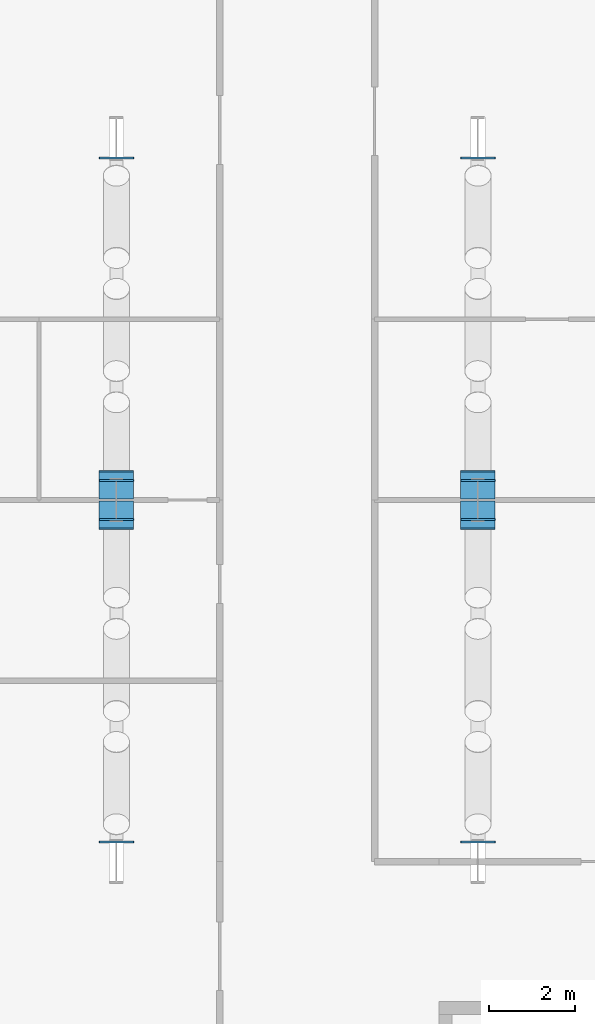
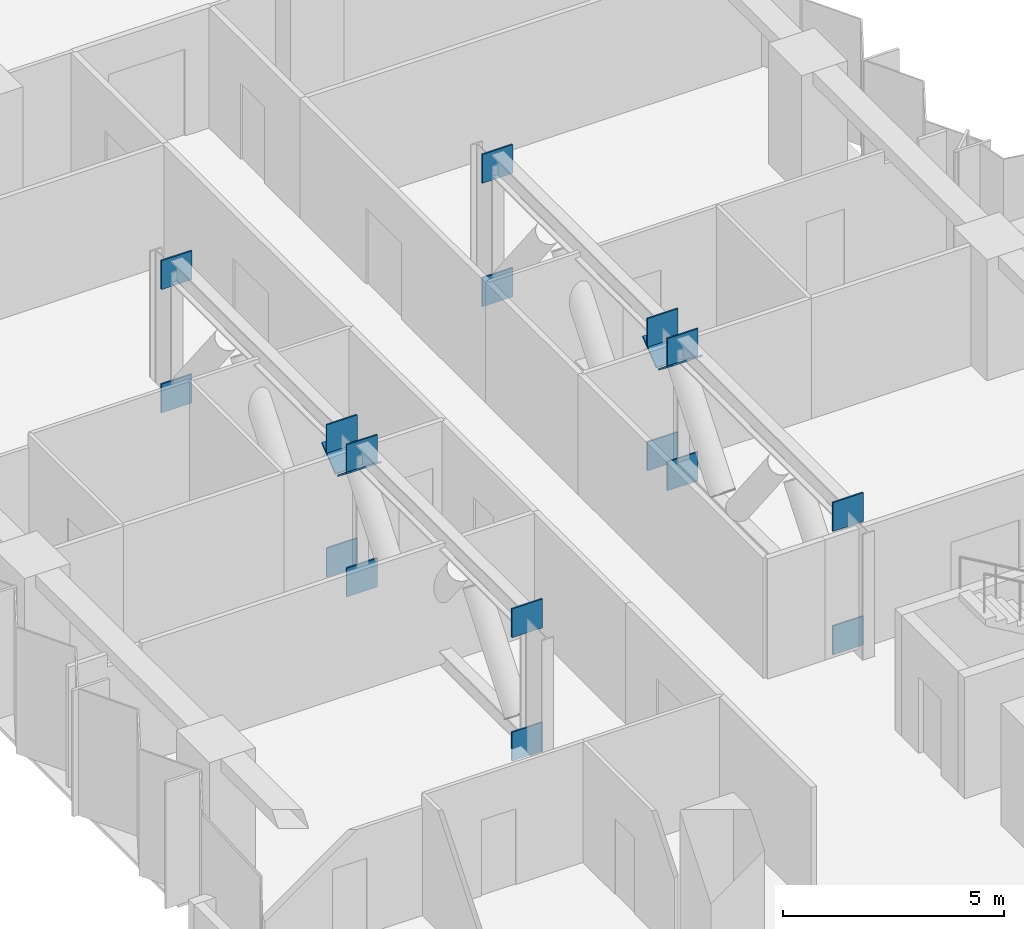
# One storey, part 16 of 24: 20 discrete accessories.
"""IFC4 building model written with IfcOpenShell, lengths in metres."""

from ifc_helpers import new_model, si_unit, direction, frame, origin, origin_2d, place, context, subcontext, project, spatial, rectangle, extrude, material, layer, layer_set, type_object, element, save


model = new_model("IFC4")

# Units and contexts
model_context = context("Model", 3, precision=1e-05, world=origin(), true_north=direction((0.0, 1.0)))
body_context = subcontext(model_context, "Body", "Model", "MODEL_VIEW")
ifc_project = project(units=[si_unit("LENGTHUNIT", "METRE"), si_unit("AREAUNIT", "SQUARE_METRE"), si_unit("VOLUMEUNIT", "CUBIC_METRE"), si_unit("PLANEANGLEUNIT", "RADIAN"), si_unit("MASSUNIT", "GRAM", prefix="KILO")], contexts=[model_context])

# Site, building, storey
site_placement = place(None, origin())
site = spatial("IfcSite", under=ifc_project, at=site_placement, CompositionType="ELEMENT")
building_placement = place(site_placement, origin())
building = spatial("IfcBuilding", under=site, at=building_placement, Name="Brevane Broadcast Tower", CompositionType="ELEMENT")
storey_placement = place(building_placement, frame((0.0, 0.0, 36.5)))
storey = spatial("IfcBuildingStorey", under=building, at=storey_placement, Name="L06", CompositionType="ELEMENT", Elevation=36.5)

# Discrete accessories
ifc_material = material(Name="Steel S355", Category="steel")
ifc_layer = layer(ifc_material, 0.0400390625)
ifc_layer_set = layer_set([ifc_layer], Name="Gusset plate 800x800x40 S355")
discrete_accessory_type = type_object("IfcDiscreteAccessoryType", Name="Gusset plate 800x800x40 S355", PredefinedType="ANCHORPLATE", material=ifc_layer_set)
for number, where, z_axis, x_axis, name in (
    (1, (8.39990234375, 34.033935546875, 0.06005859375), (0.0, 1.0, 0.0), (-1.0, 0.0, 0.0), "Gusset plate GP5-176"),
    (2, (8.39990234375, 41.52587890625, 0.06005859375), (0.0, 1.0, 0.0), (-1.0, 0.0, 0.0), "Gusset plate GP5-177"),
    (3, (8.39990234375, 42.43408203125, 0.06005859375), (0.0, 1.0, 0.0), (-1.0, 0.0, 0.0), "Gusset plate GP5-178"),
    (4, (8.39990234375, 49.926025390625, 0.06005859375), (0.0, 1.0, 0.0), (-1.0, 0.0, 0.0), "Gusset plate GP5-179"),
    (5, (8.39990234375, 34.033935546875, 3.47509765625), (0.0, 1.0, 0.0), (-1.0, 0.0, 0.0), "Gusset plate GP5-180"),
    (6, (8.39990234375, 41.52587890625, 3.47509765625), (0.0, 1.0, 0.0), (-1.0, 0.0, 0.0), "Gusset plate GP5-181"),
    (7, (8.39990234375, 42.43408203125, 3.47509765625), (0.0, 1.0, 0.0), (-1.0, 0.0, 0.0), "Gusset plate GP5-182"),
    (8, (8.39990234375, 49.926025390625, 3.47509765625), (0.0, 1.0, 0.0), (-1.0, 0.0, 0.0), "Gusset plate GP5-183"),
    (9, (8.39990234375, 41.634521484375, 2.984375), (0.0, 0.616472826043, 0.787376183758), (-1.0, 0.0, 0.0), "Gusset plate GP5-188"),
    (10, (8.39990234375, 42.365478515625, 2.984375), (0.0, -0.616472826043, 0.787376183758), (1.0, 0.0, 0.0), "Gusset plate GP5-189"),
    (11, (16.800048828125, 34.033935546875, 0.06005859375), (0.0, 1.0, 0.0), (-1.0, 0.0, 0.0), "Gusset plate GP5-192"),
    (12, (16.800048828125, 41.52587890625, 0.06005859375), (0.0, 1.0, 0.0), (-1.0, 0.0, 0.0), "Gusset plate GP5-193"),
    (13, (16.800048828125, 42.43408203125, 0.06005859375), (0.0, 1.0, 0.0), (-1.0, 0.0, 0.0), "Gusset plate GP5-194"),
    (14, (16.800048828125, 49.926025390625, 0.06005859375), (0.0, 1.0, 0.0), (-1.0, 0.0, 0.0), "Gusset plate GP5-195"),
    (15, (16.800048828125, 34.033935546875, 3.47509765625), (0.0, 1.0, 0.0), (-1.0, 0.0, 0.0), "Gusset plate GP5-196"),
    (16, (16.800048828125, 41.52587890625, 3.47509765625), (0.0, 1.0, 0.0), (-1.0, 0.0, 0.0), "Gusset plate GP5-197"),
    (17, (16.800048828125, 42.43408203125, 3.47509765625), (0.0, 1.0, 0.0), (-1.0, 0.0, 0.0), "Gusset plate GP5-198"),
    (18, (16.800048828125, 49.926025390625, 3.47509765625), (0.0, 1.0, 0.0), (-1.0, 0.0, 0.0), "Gusset plate GP5-199"),
    (19, (16.800048828125, 41.634521484375, 2.984375), (0.0, 0.616472826043, 0.787376183758), (-1.0, 0.0, 0.0), "Gusset plate GP5-204"),
    (20, (16.800048828125, 42.365478515625, 2.984375), (0.0, -0.616472826043, 0.787376183758), (1.0, 0.0, 0.0), "Gusset plate GP5-205"),
):
    element("IfcDiscreteAccessory", number, at=place(storey_placement, frame(where, z_axis=z_axis, x_axis=x_axis)), inside=storey, type_object=discrete_accessory_type, Name=name, PredefinedType="ANCHORPLATE", context=body_context, shape_type="SweptSolid", body=[
        extrude(rectangle(XDim=0.800048828125, YDim=0.800048828125, at=origin_2d()), origin(), (0.0, 0.0, 1.0), 0.0400390625),
    ])

save(model, "model.ifc")
